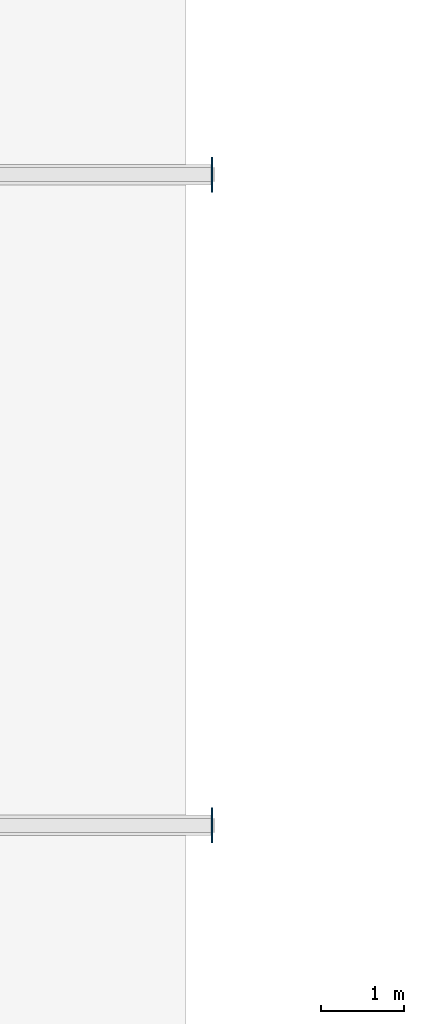
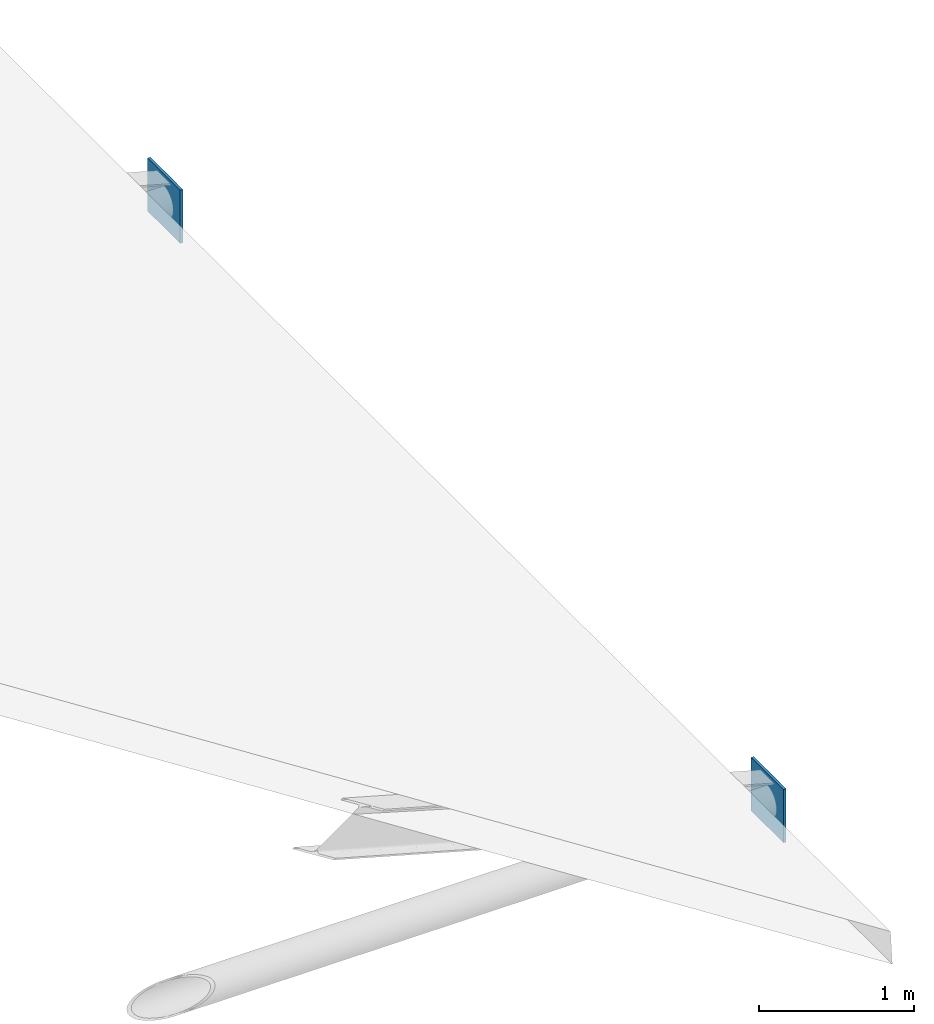
# One storey, part 20 of 41: 2 plates.
"""IFC4 building model written with IfcOpenShell, lengths in metres."""

import ifcopenshell
import ifcopenshell.guid

model = None  # the IFC model being written
_history = None  # IfcOwnerHistory: only IFC2X3 demands one
_inside = {}  # id of a spatial element -> (the spatial element, [elements in it])
_under = {}  # id of a project, library or spatial element -> (it, [spatial elements below it])
_declared = {}  # id of a project -> (the project, [libraries it declares])
_typed = {}  # id of a type object -> (the type object, [elements of that type])
_made_of = {}  # id of a material, layer set ... -> (it, [elements and type objects made of it])


def new_model(schema):
    """Start an empty IFC model of exactly this schema.

    Asked for "IFC4X3", IfcOpenShell would pick the latest addendum, in which some entities
    have other attributes; the version numbers below select the first issue.
    IFC2X3 requires an IfcOwnerHistory on every rooted entity: one is made here for all.
    """
    global model, _history
    if schema == "IFC4X3":
        model = ifcopenshell.file(schema_version=(4, 3, 0, 0))
    else:
        model = ifcopenshell.file(schema=schema)
    _inside.clear()
    _under.clear()
    _declared.clear()
    _typed.clear()
    _made_of.clear()
    _history = None
    if model.schema == "IFC2X3":
        org = make("IfcOrganization", Name="unknown")
        user = make(
            "IfcPersonAndOrganization",
            ThePerson=make("IfcPerson", FamilyName="unknown"),
            TheOrganization=org,
        )
        app = make(
            "IfcApplication",
            ApplicationDeveloper=org,
            Version="unknown",
            ApplicationFullName="unknown",
            ApplicationIdentifier="unknown",
        )
        _history = make(
            "IfcOwnerHistory",
            OwningUser=user,
            OwningApplication=app,
            ChangeAction="ADDED",
            CreationDate=0,
        )
    return model


def make(cls, **values):
    """One entity of the class cls with the attributes given. An attribute that is None is left unset."""
    return model.create_entity(
        cls, **{name: value for name, value in values.items() if value is not None}
    )


def rooted(cls, **values):
    """An entity with a GlobalId (a new one), such as an element, a storey or a relation."""
    return make(cls, GlobalId=ifcopenshell.guid.new(), OwnerHistory=_history, **values)


def si_unit(unit_type, name, prefix=None):
    """IfcSIUnit, for example si_unit("LENGTHUNIT", "METRE", prefix="MILLI")."""
    return make("IfcSIUnit", UnitType=unit_type, Prefix=prefix, Name=name)


def assignment(units):
    """IfcUnitAssignment: the units of a project."""
    return None if units is None else make("IfcUnitAssignment", Units=units)


def point(xyz):
    """IfcCartesianPoint."""
    return None if xyz is None else make("IfcCartesianPoint", Coordinates=xyz)


def direction(xyz):
    """IfcDirection."""
    return None if xyz is None else make("IfcDirection", DirectionRatios=xyz)


def frame(location, z_axis=None, x_axis=None):
    """IfcAxis2Placement3D, a coordinate frame: its origin and axes. An axis left out is left unset."""
    return make(
        "IfcAxis2Placement3D",
        Location=point(location),
        Axis=direction(z_axis),
        RefDirection=direction(x_axis),
    )


def frame_2d(location, x_axis=None):
    """IfcAxis2Placement2D, a coordinate frame in the plane: its origin and x axis."""
    return make(
        "IfcAxis2Placement2D", Location=point(location), RefDirection=direction(x_axis)
    )


def origin():
    """The frame at (0, 0, 0) with its axes left unset."""
    return frame((0.0, 0.0, 0.0))


def origin_2d():
    """The frame at (0, 0) in the plane with its x axis left unset."""
    return frame_2d((0.0, 0.0))


def place(relative_to, where):
    """IfcLocalPlacement: puts the frame where relative to a parent placement (None: the world)."""
    return make(
        "IfcLocalPlacement", PlacementRelTo=relative_to, RelativePlacement=where
    )


def context(
    kind, dimensions, precision=None, world=None, true_north=None, identifier=None
):
    """IfcGeometricRepresentationContext, for example the 3D "Model" context."""
    return make(
        "IfcGeometricRepresentationContext",
        ContextIdentifier=identifier,
        ContextType=kind,
        CoordinateSpaceDimension=dimensions,
        Precision=precision,
        WorldCoordinateSystem=world,
        TrueNorth=true_north,
    )


def subcontext(parent, identifier, kind, view, scale=None):
    """IfcGeometricRepresentationSubContext, for example "Body" below "Model"."""
    return make(
        "IfcGeometricRepresentationSubContext",
        ContextIdentifier=identifier,
        ContextType=kind,
        ParentContext=parent,
        TargetScale=scale,
        TargetView=view,
    )


def project(units=None, contexts=None):
    """IfcProject with its units and contexts."""
    return rooted(
        "IfcProject",
        Name="project",
        RepresentationContexts=contexts,
        UnitsInContext=assignment(units),
    )


def spatial(cls, under=None, at=None, **own):
    """A site, building, storey or space (cls), placed at a placement, below another one or the project."""
    s = rooted(cls, ObjectPlacement=at, **own)
    if under is not None:
        _under.setdefault(under.id(), (under, []))[1].append(s)
    return s


def profile(cls, at=None, kind="AREA", **sizes):
    """A parametric profile (cls). Its sizes go by their IFC names, for example OverallWidth=200.0."""
    return make(cls, ProfileType=kind, Position=at, **sizes)


def rectangle(**sizes):
    """IfcRectangleProfileDef."""
    return profile("IfcRectangleProfileDef", **sizes)


def extrude(swept, where, along, depth):
    """IfcExtrudedAreaSolid: the profile swept, set in the frame where, extruded along a direction by depth."""
    return make(
        "IfcExtrudedAreaSolid",
        SweptArea=swept,
        Position=where,
        ExtrudedDirection=direction(along),
        Depth=depth,
    )


def shape(context_of_items, identifier, shape_type, items):
    """IfcShapeRepresentation: the items that make up one representation, for example the "Body"."""
    return make(
        "IfcShapeRepresentation",
        ContextOfItems=context_of_items,
        RepresentationIdentifier=identifier,
        RepresentationType=shape_type,
        Items=items,
    )


def material(Name=None, Category=None):
    """IfcMaterial."""
    return make("IfcMaterial", Name=Name, Category=Category)


def layer(
    of_material, thickness, ventilated=None, Name=None, Category=None, Priority=None
):
    """IfcMaterialLayer: one layer of a wall or slab, of a material (None: an air gap)."""
    return make(
        "IfcMaterialLayer",
        Material=of_material,
        LayerThickness=thickness,
        IsVentilated=ventilated,
        Name=Name,
        Category=Category,
        Priority=Priority,
    )


def layer_set(layers, Name=None):
    """IfcMaterialLayerSet."""
    return make("IfcMaterialLayerSet", MaterialLayers=layers, LayerSetName=Name)


def made_of(thing, what):
    """Note that an element or type object is made of a material, layer set ...; save() writes the relation."""
    if what is not None:
        _made_of.setdefault(what.id(), (what, []))[1].append(thing)
    return thing


def type_object(cls, material=None, **own):
    """A type object (cls), such as IfcWallType, which elements share."""
    return made_of(rooted(cls, **own), material)


def element(
    cls,
    number,
    at=None,
    inside=None,
    cuts=None,
    type_object=None,
    material=None,
    context=None,
    identifier="Body",
    shape_type=None,
    held_by="IfcProductDefinitionShape",
    body=None,
    shapes=None,
    **own,
):
    """One element of the class cls, such as IfcWall. Its Tag is "e" and its number.

    at: its placement. inside: the storey or other place that contains it. cuts: it is an
    opening in that element (IfcRelVoidsElement). A single representation is given by context,
    identifier, shape_type and body (its items); several are given by shapes. held_by: the class
    of the entity that holds the representations. save() writes the other relations.
    """
    e = rooted(cls, Tag="e%d" % number, ObjectPlacement=at, **own)
    if body is not None:
        shapes = [shape(context, identifier, shape_type, body)]
    if shapes is not None:
        e.Representation = make(held_by, Representations=shapes)
    if inside is not None:
        _inside.setdefault(inside.id(), (inside, []))[1].append(e)
    if cuts is not None:
        rooted(
            "IfcRelVoidsElement", RelatingBuildingElement=cuts, RelatedOpeningElement=e
        )
    if type_object is not None:
        _typed.setdefault(type_object.id(), (type_object, []))[1].append(e)
    return made_of(e, material)


def aggregate(whole, parts):
    """IfcRelAggregates: a whole, such as a stair, and the parts it consists of."""
    return rooted("IfcRelAggregates", RelatingObject=whole, RelatedObjects=parts)


def save(model, path):
    """Write the relations noted so far, then the file.

    IfcRelAggregates (storeys below a building ...), IfcRelContainedInSpatialStructure (elements
    in a storey), IfcRelDefinesByType, IfcRelAssociatesMaterial and IfcRelDeclares: one each for
    every whole, place, type object, material and project.
    """
    for whole, parts in _under.values():
        aggregate(whole, parts)
    for where, things in _inside.values():
        rooted(
            "IfcRelContainedInSpatialStructure",
            RelatedElements=things,
            RelatingStructure=where,
        )
    for kind, things in _typed.values():
        rooted("IfcRelDefinesByType", RelatedObjects=things, RelatingType=kind)
    for what, things in _made_of.values():
        rooted("IfcRelAssociatesMaterial", RelatedObjects=things, RelatingMaterial=what)
    for by, libraries in _declared.values():
        rooted("IfcRelDeclares", RelatingContext=by, RelatedDefinitions=libraries)
    model.write(path)


model = new_model("IFC4")

# Units and contexts
model_context = context("Model", 3, precision=1e-05, world=origin(), true_north=direction((0.0, 1.0)))
body_context = subcontext(model_context, "Body", "Model", "MODEL_VIEW")
ifc_project = project(units=[si_unit("LENGTHUNIT", "METRE"), si_unit("AREAUNIT", "SQUARE_METRE"), si_unit("VOLUMEUNIT", "CUBIC_METRE"), si_unit("PLANEANGLEUNIT", "RADIAN"), si_unit("MASSUNIT", "GRAM", prefix="KILO")], contexts=[model_context])

# Site, building, storey
site_placement = place(None, origin())
site = spatial("IfcSite", under=ifc_project, at=site_placement, CompositionType="ELEMENT")
building_placement = place(site_placement, origin())
building = spatial("IfcBuilding", under=site, at=building_placement, Name="Nabrawat Pavilion Hospital", CompositionType="ELEMENT")
storey_placement = place(building_placement, frame((0.0, 0.0, 18.89990234375)))
storey = spatial("IfcBuildingStorey", under=building, at=storey_placement, Name="L04", CompositionType="ELEMENT", Elevation=18.89990234375)

# Plates
ifc_material = material(Name="Steel S355", Category="steel")
ifc_layer = layer(ifc_material, 0.02001953125, Name="Steel S355")
ifc_layer_set = layer_set([ifc_layer], Name="Steel S355")
plate_type = type_object("IfcPlateType", Name="Space Frame Interior Gusset Node Plate 420x420x20", PredefinedType="USERDEFINED", material=ifc_layer_set)
for number, where, z_axis, x_axis, name in (
    (1, (58.81005859375, 54.60009765625, -0.559814453125), (0.0, 0.0, 1.0), (1.0, 0.0, 0.0), "Surgical East-South Pavilion Tie Chord End Cap Plate 01-E"),
    (2, (58.81005859375, 62.39990234375, -0.559814453125), (0.0, 0.0, 1.0), (1.0, 0.0, 0.0), "Surgical East-South Pavilion Tie Chord End Cap Plate 02-E"),
):
    element("IfcPlate", number, at=place(storey_placement, frame(where, z_axis=z_axis, x_axis=x_axis)), inside=storey, type_object=plate_type, Name=name, ObjectType="GUSSET PLATE", PredefinedType="USERDEFINED", context=body_context, shape_type="SweptSolid", body=[
        extrude(rectangle(XDim=0.02001953125, YDim=0.419921875, at=origin_2d()), origin(), (0.0, 0.0, 1.0), 0.419921875),
    ])

save(model, "model.ifc")
